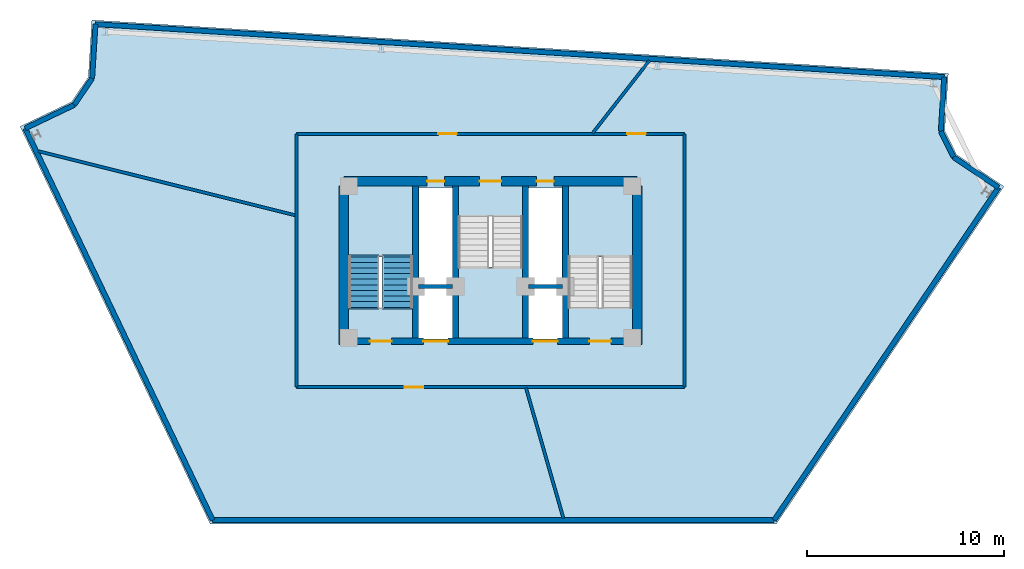
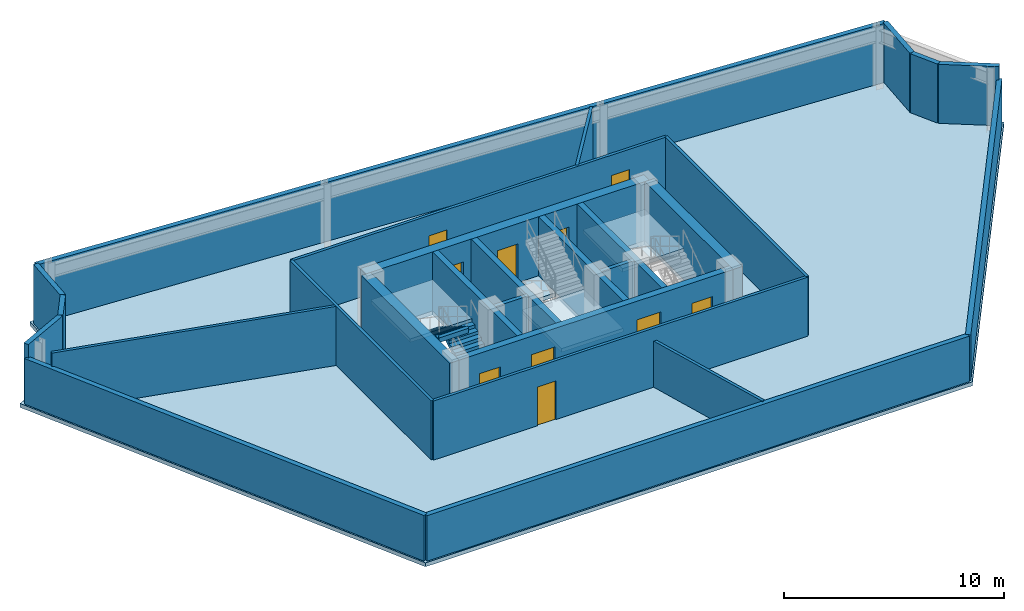
# One storey, part 3 of 5: 27 walls, 10 doors, 4 slabs, 2 stair flights, 10 openings, 3 elements without a shape of their own.
"""IFC4 building model written with IfcOpenShell, lengths in metres."""

from ifc_helpers import new_model, si_unit, direction, frame, frame_2d, origin, place, context, subcontext, project, spatial, polyline, rectangle, outline, extrude, material, layer, layer_set, type_object, element, fill, aggregate, save


model = new_model("IFC4")

# Units and contexts
model_context = context("Model", 3, precision=1e-05, world=origin(), true_north=direction((0.0, 1.0)))
body_context = subcontext(model_context, "Body", "Model", "MODEL_VIEW")
ifc_project = project(units=[si_unit("LENGTHUNIT", "METRE"), si_unit("AREAUNIT", "SQUARE_METRE"), si_unit("VOLUMEUNIT", "CUBIC_METRE"), si_unit("PLANEANGLEUNIT", "RADIAN"), si_unit("MASSUNIT", "GRAM", prefix="KILO")], contexts=[model_context])

# Site, building, storey
site_placement = place(None, origin())
site = spatial("IfcSite", under=ifc_project, at=site_placement, CompositionType="ELEMENT")
building_placement = place(site_placement, origin())
building = spatial("IfcBuilding", under=site, at=building_placement, Name="Apsidion Concourse Tower", CompositionType="ELEMENT")
storey_placement = place(building_placement, frame((0.0, 0.0, 343.0)))
storey = spatial("IfcBuildingStorey", under=building, at=storey_placement, Name="L81", CompositionType="ELEMENT", Elevation=343.0)

# Slab
ifc_material_1 = material(Name="Concrete C50/60", Category="concrete")
ifc_layer_1 = layer(ifc_material_1, 0.219970703125)
ifc_layer_set_1 = layer_set([ifc_layer_1], Name="Concrete C50/60")
slab_type_1 = type_object("IfcSlabType", Name="SL-FLR-220", PredefinedType="FLOOR", material=ifc_layer_set_1)
slab_1_placement = place(storey_placement, frame((0.0, 0.0, -0.219970703125)))
element("IfcSlab", 1, at=slab_1_placement, inside=storey, type_object=slab_type_1, Name="L81 Structural Floor Slab", PredefinedType="FLOOR", context=body_context, shape_type="SweptSolid", body=[
    extrude(outline(polyline([(-23.89111328125, 12.180908203125), (-21.27001953125, 13.43505859375), (-20.424560546875, 14.688232421875), (-20.24365234375, 17.58837890625), (23.251708984375, 14.875732421875), (23.07080078125, 11.9755859375), (23.668701171875, 10.76171875), (26.07763671875, 9.136962890625), (14.513916015625, -8.007080078125), (-14.232177734375, -8.007080078125), (-23.89111328125, 12.180908203125)]), holes=[polyline([(-3.949951171875, 3.0), (-3.949951171875, 9.14990234375), (-7.199951171875, 9.14990234375), (-7.199951171875, 3.0), (-3.949951171875, 3.0)]), polyline([(7.199951171875, 3.0), (7.199951171875, 9.14990234375), (3.949951171875, 9.14990234375), (3.949951171875, 3.0), (7.199951171875, 3.0)]), polyline([(-1.625, 7.60009765625), (-1.625, 1.449951171875), (1.625, 1.449951171875), (1.625, 7.60009765625), (-1.625, 7.60009765625)]), polyline([(-3.7099609375, 1.39990234375), (-1.85009765625, 1.39990234375), (-1.85009765625, 4.0), (-3.7099609375, 4.0), (-3.7099609375, 1.39990234375)]), polyline([(1.85009765625, 1.39990234375), (3.7099609375, 1.39990234375), (3.7099609375, 4.0), (1.85009765625, 4.0), (1.85009765625, 1.39990234375)]), polyline([(-3.6201171875, 4.14990234375), (-1.93994140625, 4.14990234375), (-1.93994140625, 9.050048828125), (-3.6201171875, 9.050048828125), (-3.6201171875, 4.14990234375)]), polyline([(1.93994140625, 4.14990234375), (3.6201171875, 4.14990234375), (3.6201171875, 9.050048828125), (1.93994140625, 9.050048828125), (1.93994140625, 4.14990234375)])]), origin(), (0.0, 0.0, 1.0), 0.219970703125),
])

# Stair, slab
ifc_material_2 = material(Name="Precast concrete C40/50", Category="concrete")
stair_type = type_object("IfcStairType", Name="ST-DL-1550", PredefinedType="HALF_TURN_STAIR", material=ifc_material_2)
stair_1_placement = place(storey_placement, origin())
stair_1 = element("IfcStair", 2, at=stair_1_placement, inside=storey, type_object=stair_type, Name="L81 Protected Core Exit Stair ST1", PredefinedType="HALF_TURN_STAIR")
ifc_layer_2 = layer(ifc_material_1, 0.199951171875)
ifc_layer_set_2 = layer_set([ifc_layer_2], Name="Concrete C50/60")
slab_type_2 = type_object("IfcSlabType", Name="SL-ST-LAND-200", PredefinedType="LANDING", material=ifc_layer_set_2)
slab_2_placement = place(storey_placement, frame((0.0, 0.0, 1.550048828125)))
slab_2 = element("IfcSlab", 3, at=slab_2_placement, type_object=slab_type_2, Name="ST1 landing 1", PredefinedType="LANDING", context=body_context, shape_type="SweptSolid", body=[
    extrude(outline(polyline([(-3.949951171875, 5.56494140625), (-3.949951171875, 9.14990234375), (-7.199951171875, 9.14990234375), (-7.199951171875, 5.56494140625), (-3.949951171875, 5.56494140625)])), origin(), (0.0, 0.0, 1.0), 0.199951171875),
])

stair_2_placement = place(storey_placement, origin())
stair_2 = element("IfcStair", 4, at=stair_2_placement, inside=storey, type_object=stair_type, Name="L81 Protected Core Exit Stair ST2", PredefinedType="HALF_TURN_STAIR")
slab_3_placement = place(storey_placement, frame((0.0, 0.0, 1.550048828125)))
slab_3 = element("IfcSlab", 5, at=slab_3_placement, type_object=slab_type_2, Name="ST2 landing 1", PredefinedType="LANDING", context=body_context, shape_type="SweptSolid", body=[
    extrude(outline(polyline([(7.199951171875, 5.56494140625), (7.199951171875, 9.14990234375), (3.949951171875, 9.14990234375), (3.949951171875, 5.56494140625), (7.199951171875, 5.56494140625)])), origin(), (0.0, 0.0, 1.0), 0.199951171875),
])
aggregate(stair_2, [slab_3])

stair_3_placement = place(storey_placement, origin())
stair_3 = element("IfcStair", 6, at=stair_3_placement, inside=storey, type_object=stair_type, Name="L81 Protected Core Exit Stair ST3", PredefinedType="HALF_TURN_STAIR")
slab_4_placement = place(storey_placement, frame((0.0, 0.0, 1.550048828125)))
slab_4 = element("IfcSlab", 7, at=slab_4_placement, type_object=slab_type_2, Name="ST3 landing 1", PredefinedType="LANDING", context=body_context, shape_type="SweptSolid", body=[
    extrude(outline(polyline([(-1.625, 5.034912109375), (-1.625, 1.449951171875), (1.625, 1.449951171875), (1.625, 5.034912109375), (-1.625, 5.034912109375)])), origin(), (0.0, 0.0, 1.0), 0.199951171875),
])
aggregate(stair_3, [slab_4])

# Walls
ifc_layer_3 = layer(ifc_material_2, 0.25)
ifc_layer_set_3 = layer_set([ifc_layer_3], Name="Precast concrete C40/50")
wall_type_1 = type_object("IfcWallType", Name="WL-EXT-250", PredefinedType="STANDARD", material=ifc_layer_set_3)
wall_1_placement = place(storey_placement, frame((-23.62451171875, 12.0869140625, 0.0), z_axis=(0.0, 0.0, 1.0), x_axis=(0.902092306117, 0.431543127909, 0.0)))
element("IfcWall", 8, at=wall_1_placement, inside=storey, type_object=wall_type_1, Name="L81 Precast Stone Facade Wall 01", PredefinedType="STANDARD", context=body_context, shape_type="SweptSolid", body=[
    extrude(rectangle(XDim=2.76025390625, YDim=0.25, at=frame_2d((1.380126953125, 0.0))), origin(), (0.0, 0.0, 1.0), 3.280029296875),
])
wall_2_placement = place(storey_placement, frame((-21.134521484375, 13.278076171875, 0.0), z_axis=(0.0, 0.0, 1.0), x_axis=(0.559107950815, 0.829094867512, 0.0)))
element("IfcWall", 9, at=wall_2_placement, inside=storey, type_object=wall_type_1, Name="L81 Precast Stone Facade Wall 02", PredefinedType="STANDARD", context=body_context, shape_type="SweptSolid", body=[
    extrude(rectangle(XDim=1.620361328125, YDim=0.25, at=frame_2d((0.81005859375, 0.0))), origin(), (0.0, 0.0, 1.0), 3.280029296875),
])
wall_3_placement = place(storey_placement, frame((-20.228515625, 14.62158203125, 0.0), z_axis=(0.0, 0.0, 1.0), x_axis=(0.062361765106, 0.998053610911, 0.0)))
element("IfcWall", 10, at=wall_3_placement, inside=storey, type_object=wall_type_1, Name="L81 Precast Stone Facade Wall 03", PredefinedType="STANDARD", context=body_context, shape_type="SweptSolid", body=[
    extrude(rectangle(XDim=2.760009765625, YDim=0.25, at=frame_2d((1.3798828125, 0.0))), origin(), (0.0, 0.0, 1.0), 3.280029296875),
])
wall_4_placement = place(storey_placement, frame((-20.056396484375, 17.376220703125, 0.0), z_axis=(0.0, 0.0, 1.0), x_axis=(0.998061236898, -0.06223959674, 0.0)))
element("IfcWall", 11, at=wall_4_placement, inside=storey, type_object=wall_type_1, Name="L81 Precast Stone Facade Wall 04", PredefinedType="STANDARD", context=body_context, shape_type="SweptSolid", body=[
    extrude(rectangle(XDim=43.179931640625, YDim=0.25, at=frame_2d((21.58984375, 0.0))), origin(), (0.0, 0.0, 1.0), 3.280029296875),
])
wall_5_placement = place(storey_placement, frame((23.039794921875, 14.688720703125, 0.0), z_axis=(0.0, 0.0, 1.0), x_axis=(-0.062295651102, -0.998057739739, 0.0)))
element("IfcWall", 12, at=wall_5_placement, inside=storey, type_object=wall_type_1, Name="L81 Precast Stone Facade Wall 05", PredefinedType="STANDARD", context=body_context, shape_type="SweptSolid", body=[
    extrude(rectangle(XDim=2.759033203125, YDim=0.25, at=frame_2d((1.37939453125, 0.0))), origin(), (0.0, 0.0, 1.0), 3.280029296875),
])
wall_6_placement = place(storey_placement, frame((22.867919921875, 11.93505859375, 0.0), z_axis=(0.0, 0.0, 1.0), x_axis=(0.441785524615, -0.897120699929, 0.0)))
element("IfcWall", 13, at=wall_6_placement, inside=storey, type_object=wall_type_1, Name="L81 Precast Stone Facade Wall 06", PredefinedType="STANDARD", context=body_context, shape_type="SweptSolid", body=[
    extrude(rectangle(XDim=1.45947265625, YDim=0.25, at=frame_2d((0.729736328125, 0.0))), origin(), (0.0, 0.0, 1.0), 3.280029296875),
])
wall_7_placement = place(storey_placement, frame((23.5126953125, 10.625732421875, 0.0), z_axis=(0.0, 0.0, 1.0), x_axis=(0.829056864924, -0.559164300294, 0.0)))
element("IfcWall", 14, at=wall_7_placement, inside=storey, type_object=wall_type_1, Name="L81 Precast Stone Facade Wall 07", PredefinedType="STANDARD", context=body_context, shape_type="SweptSolid", body=[
    extrude(rectangle(XDim=2.759033203125, YDim=0.25, at=frame_2d((1.37939453125, 0.0))), origin(), (0.0, 0.0, 1.0), 3.280029296875),
])
wall_8_placement = place(storey_placement, frame((25.800048828125, 9.0830078125, 0.0), z_axis=(0.0, 0.0, 1.0), x_axis=(-0.559194153631, -0.82903672931, 0.0)))
element("IfcWall", 15, at=wall_8_placement, inside=storey, type_object=wall_type_1, Name="L81 Precast Stone Facade Wall 08", PredefinedType="STANDARD", context=body_context, shape_type="SweptSolid", body=[
    extrude(rectangle(XDim=20.373291015625, YDim=0.25, at=frame_2d((10.1865234375, 0.0))), origin(), (0.0, 0.0, 1.0), 2.532470703125),
])
wall_9_placement = place(storey_placement, frame((14.407470703125, -7.80712890625, 0.0), z_axis=(0.0, 0.0, 1.0), x_axis=(-1.0, 0.0, 0.0)))
element("IfcWall", 16, at=wall_9_placement, inside=storey, type_object=wall_type_1, Name="L81 Precast Stone Facade Wall 09", PredefinedType="STANDARD", context=body_context, shape_type="SweptSolid", body=[
    extrude(rectangle(XDim=28.513671875, YDim=0.25, at=frame_2d((14.2568359375, 0.0))), origin(), (0.0, 0.0, 1.0), 2.532470703125),
])
wall_10_placement = place(storey_placement, frame((-14.106201171875, -7.80712890625, 0.0), z_axis=(0.0, 0.0, 1.0), x_axis=(-0.431594551135, 0.90206770446, 0.0)))
element("IfcWall", 17, at=wall_10_placement, inside=storey, type_object=wall_type_1, Name="L81 Precast Stone Facade Wall 10", PredefinedType="STANDARD", context=body_context, shape_type="SweptSolid", body=[
    extrude(rectangle(XDim=22.0537109375, YDim=0.25, at=frame_2d((11.02685546875, 0.0))), origin(), (0.0, 0.0, 1.0), 2.532470703125),
])

# Wall, openings, doors
ifc_material_3 = material(Name="Gypsum plasterboard partition")
ifc_layer_4 = layer(ifc_material_3, 0.14990234375)
ifc_layer_set_4 = layer_set([ifc_layer_4], Name="Gypsum plasterboard partition")
wall_type_2 = type_object("IfcWallType", Name="WL-INT-PAR-150", PredefinedType="PARTITIONING", material=ifc_layer_set_4)
wall_11_placement = place(storey_placement, frame((-9.85009765625, 11.800048828125, 0.0), z_axis=(0.0, 0.0, 1.0), x_axis=(1.0, 0.0, 0.0)))
wall_11 = element("IfcWall", 18, at=wall_11_placement, inside=storey, type_object=wall_type_2, Name="L81 Interior Partition WL-L81-CCR-1", PredefinedType="PARTITIONING", context=body_context, shape_type="SweptSolid", body=[
    extrude(rectangle(XDim=19.7001953125, YDim=0.14990234375, at=frame_2d((9.85009765625, 0.0))), origin(), (0.0, 0.0, 1.0), 3.280029296875),
])
opening_1_placement = place(wall_11_placement, frame((16.7900390625, 0.0, 0.0)))
opening_1 = element("IfcOpeningElement", 19, at=opening_1_placement, cuts=wall_11, Name="Opening D-04R", PredefinedType="OPENING", context=body_context, shape_type="SweptSolid", body=[
    extrude(rectangle(XDim=0.949951171875, YDim=2.14990234375, at=frame_2d((0.47509765625, 1.074951171875))), frame((0.0, 0.0849609375, 0.0), z_axis=(0.0, -1.0, 0.0), x_axis=(1.0, 0.0, 0.0)), (0.0, 0.0, 1.0), 0.169921875),
])
opening_2_placement = place(wall_11_placement, frame((7.2001953125, 0.0, 0.0)))
opening_2 = element("IfcOpeningElement", 20, at=opening_2_placement, cuts=wall_11, Name="Opening D-04L", PredefinedType="OPENING", context=body_context, shape_type="SweptSolid", body=[
    extrude(rectangle(XDim=0.949951171875, YDim=2.14990234375, at=frame_2d((0.47509765625, 1.074951171875))), frame((0.0, 0.0849609375, 0.0), z_axis=(0.0, -1.0, 0.0), x_axis=(1.0, 0.0, 0.0)), (0.0, 0.0, 1.0), 0.169921875),
])
ifc_material_4 = material(Name="Brushed stainless steel 316", Category="steel")
door_type_1 = type_object("IfcDoorType", Name="DR-INT-D04L", OperationType="SINGLE_SWING_LEFT", PredefinedType="DOOR", material=ifc_material_4)
door_1_placement = place(opening_2_placement, origin())
door_1 = element("IfcDoor", 21, at=door_1_placement, inside=storey, type_object=door_type_1, Name="L81 Crown Plant Door 3", OperationType="SINGLE_SWING_LEFT", OverallHeight=2.14990234375, OverallWidth=0.949951171875, PredefinedType="DOOR", context=body_context, shape_type="SweptSolid", body=[
    extrude(rectangle(XDim=0.949951171875, YDim=2.14990234375, at=frame_2d((0.47509765625, 1.074951171875))), frame((0.0, 0.02490234375, 0.0), z_axis=(0.0, -1.0, 0.0), x_axis=(1.0, 0.0, 0.0)), (0.0, 0.0, 1.0), 0.050048828125),
])
fill(opening_2, door_1)
door_type_2 = type_object("IfcDoorType", Name="DR-INT-D04R", OperationType="SINGLE_SWING_RIGHT", PredefinedType="DOOR", material=ifc_material_4)
door_2_placement = place(opening_1_placement, origin())
door_2 = element("IfcDoor", 22, at=door_2_placement, inside=storey, type_object=door_type_2, Name="L81 Crown Plant Door 2", OperationType="SINGLE_SWING_RIGHT", OverallHeight=2.14990234375, OverallWidth=0.949951171875, PredefinedType="DOOR", context=body_context, shape_type="SweptSolid", body=[
    extrude(rectangle(XDim=0.949951171875, YDim=2.14990234375, at=frame_2d((0.47509765625, 1.074951171875))), frame((0.0, 0.02490234375, 0.0), z_axis=(0.0, -1.0, 0.0), x_axis=(1.0, 0.0, 0.0)), (0.0, 0.0, 1.0), 0.050048828125),
])
fill(opening_1, door_2)

# Wall
wall_12_placement = place(storey_placement, frame((9.85009765625, 11.800048828125, 0.0), z_axis=(0.0, 0.0, 1.0), x_axis=(0.0, -1.0, 0.0)))
element("IfcWall", 23, at=wall_12_placement, inside=storey, type_object=wall_type_2, Name="L81 Interior Partition WL-L81-CCR-2", PredefinedType="PARTITIONING", context=body_context, shape_type="SweptSolid", body=[
    extrude(rectangle(XDim=12.85498046875, YDim=0.14990234375, at=frame_2d((6.427490234375, 0.0))), origin(), (0.0, 0.0, 1.0), 3.280029296875),
])

# Wall, opening, door
wall_13_placement = place(storey_placement, frame((9.85009765625, -1.054931640625, 0.0), z_axis=(0.0, 0.0, 1.0), x_axis=(-1.0, 0.0, 0.0)))
wall_13 = element("IfcWall", 24, at=wall_13_placement, inside=storey, type_object=wall_type_2, Name="L81 Interior Partition WL-L81-CCR-3", PredefinedType="PARTITIONING", context=body_context, shape_type="SweptSolid", body=[
    extrude(rectangle(XDim=19.7001953125, YDim=0.14990234375, at=frame_2d((9.85009765625, 0.0))), origin(), (0.0, 0.0, 1.0), 3.280029296875),
])
opening_3_placement = place(wall_13_placement, frame((13.26171875, 0.0, 0.0)))
opening_3 = element("IfcOpeningElement", 25, at=opening_3_placement, cuts=wall_13, Name="Opening D-04L", PredefinedType="OPENING", context=body_context, shape_type="SweptSolid", body=[
    extrude(rectangle(XDim=0.949951171875, YDim=2.14990234375, at=frame_2d((0.47509765625, 1.074951171875))), frame((0.0, 0.0849609375, 0.0), z_axis=(0.0, -1.0, 0.0), x_axis=(1.0, 0.0, 0.0)), (0.0, 0.0, 1.0), 0.169921875),
])
door_3_placement = place(opening_3_placement, origin())
door_3 = element("IfcDoor", 26, at=door_3_placement, inside=storey, type_object=door_type_1, Name="L81 Crown Plant Door 1", OperationType="SINGLE_SWING_LEFT", OverallHeight=2.14990234375, OverallWidth=0.949951171875, PredefinedType="DOOR", context=body_context, shape_type="SweptSolid", body=[
    extrude(rectangle(XDim=0.949951171875, YDim=2.14990234375, at=frame_2d((0.47509765625, 1.074951171875))), frame((0.0, 0.02490234375, 0.0), z_axis=(0.0, -1.0, 0.0), x_axis=(1.0, 0.0, 0.0)), (0.0, 0.0, 1.0), 0.050048828125),
])
fill(opening_3, door_3)

# Walls
wall_14_placement = place(storey_placement, frame((-9.85009765625, -1.054931640625, 0.0), z_axis=(0.0, 0.0, 1.0), x_axis=(0.0, 1.0, 0.0)))
element("IfcWall", 27, at=wall_14_placement, inside=storey, type_object=wall_type_2, Name="L81 Interior Partition WL-L81-CCR-4", PredefinedType="PARTITIONING", context=body_context, shape_type="SweptSolid", body=[
    extrude(rectangle(XDim=12.85498046875, YDim=0.14990234375, at=frame_2d((6.427490234375, 0.0))), origin(), (0.0, 0.0, 1.0), 3.280029296875),
])
wall_15_placement = place(storey_placement, frame((5.179931640625, 11.830078125, 0.0), z_axis=(0.0, 0.0, 1.0), x_axis=(0.615673287735, 0.788001524599, 0.0)))
element("IfcWall", 28, at=wall_15_placement, inside=storey, type_object=wall_type_2, Name="L81 Interior Partition WL-L81-CRD-1-1", PredefinedType="PARTITIONING", context=body_context, shape_type="SweptSolid", body=[
    extrude(rectangle(XDim=4.69775390625, YDim=0.14990234375, at=frame_2d((2.348876953125, 0.0))), origin(), (0.0, 0.0, 1.0), 3.280029296875),
])
wall_16_placement = place(storey_placement, frame((-9.8798828125, 7.663330078125, 0.0), z_axis=(0.0, 0.0, 1.0), x_axis=(-0.970295599686, 0.241922403324, 0.0)))
element("IfcWall", 29, at=wall_16_placement, inside=storey, type_object=wall_type_2, Name="L81 Interior Partition WL-L81-CRD-2-1", PredefinedType="PARTITIONING", context=body_context, shape_type="SweptSolid", body=[
    extrude(rectangle(XDim=13.490478515625, YDim=0.14990234375, at=frame_2d((6.7451171875, 0.0))), origin(), (0.0, 0.0, 1.0), 3.280029296875),
])
wall_17_placement = place(storey_placement, frame((1.80224609375, -1.0849609375, 0.0), z_axis=(0.0, 0.0, 1.0), x_axis=(0.275623020984, -0.96126580627, 0.0)))
element("IfcWall", 30, at=wall_17_placement, inside=storey, type_object=wall_type_2, Name="L81 Interior Partition WL-L81-CRD-3-1", PredefinedType="PARTITIONING", context=body_context, shape_type="SweptSolid", body=[
    extrude(rectangle(XDim=6.8994140625, YDim=0.14990234375, at=frame_2d((3.44970703125, 0.0))), origin(), (0.0, 0.0, 1.0), 2.56298828125),
])
ifc_layer_5 = layer(ifc_material_3, 0.199951171875)
ifc_layer_set_5 = layer_set([ifc_layer_5], Name="Gypsum plasterboard partition")
wall_type_3 = type_object("IfcWallType", Name="WL-INT-PAR-200", PredefinedType="PARTITIONING", material=ifc_layer_set_5)
for number, where, z_axis, x_axis, name in (
    (31, (-3.64990234375, 4.050048828125, 0.0), (0.0, 0.0, 1.0), (1.0, 0.0, 0.0), "L81 Interior Partition WL-L81-FF1-N"),
    (32, (1.919921875, 4.050048828125, 0.0), (0.0, 0.0, 1.0), (1.0, 0.0, 0.0), "L81 Interior Partition WL-L81-FF2-N"),
):
    element("IfcWall", number, at=place(storey_placement, frame(where, z_axis=z_axis, x_axis=x_axis)), inside=storey, type_object=wall_type_3, Name=name, PredefinedType="PARTITIONING", context=body_context, shape_type="SweptSolid", body=[
        extrude(rectangle(XDim=1.72998046875, YDim=0.199951171875, at=frame_2d((0.864990234375, 0.0))), origin(), (0.0, 0.0, 1.0), 3.280029296875),
    ])
ifc_layer_6 = layer(ifc_material_1, 0.300048828125)
ifc_layer_set_6 = layer_set([ifc_layer_6], Name="Concrete C50/60")
wall_type_4 = type_object("IfcWallType", Name="WL-SH-300", PredefinedType="SHEAR", material=ifc_layer_set_6)
for number, where, z_axis, x_axis, name in (
    (33, (-3.800048828125, 1.449951171875, 0.0), (0.0, 0.0, 1.0), (0.0, 1.0, 0.0), "L81 Central Core Shear Wall V1"),
    (34, (-1.77490234375, 1.449951171875, 0.0), (0.0, 0.0, 1.0), (0.0, 1.0, 0.0), "L81 Central Core Shear Wall V2"),
    (35, (1.77490234375, 1.449951171875, 0.0), (0.0, 0.0, 1.0), (0.0, 1.0, 0.0), "L81 Central Core Shear Wall V3"),
    (36, (3.800048828125, 1.449951171875, 0.0), (0.0, 0.0, 1.0), (0.0, 1.0, 0.0), "L81 Central Core Shear Wall V4"),
):
    element("IfcWall", number, at=place(storey_placement, frame(where, z_axis=z_axis, x_axis=x_axis)), inside=storey, type_object=wall_type_4, Name=name, PredefinedType="SHEAR", context=body_context, shape_type="SweptSolid", body=[
        extrude(rectangle(XDim=7.699951171875, YDim=0.300048828125, at=frame_2d((3.85009765625, 0.0))), origin(), (0.0, 0.0, 1.0), 3.280029296875),
    ])

# Wall, openings, doors
ifc_layer_7 = layer(ifc_material_1, 0.35009765625)
ifc_layer_set_7 = layer_set([ifc_layer_7], Name="Concrete C50/60")
wall_type_5 = type_object("IfcWallType", Name="WL-SH-350", PredefinedType="SHEAR", material=ifc_layer_set_7)
wall_18_placement = place(storey_placement, frame((-7.199951171875, 1.27490234375, 0.0), z_axis=(0.0, 0.0, 1.0), x_axis=(1.0, 0.0, 0.0)))
wall_18 = element("IfcWall", 37, at=wall_18_placement, inside=storey, type_object=wall_type_5, Name="L81 Central Core Shear Wall M1", PredefinedType="SHEAR", context=body_context, shape_type="SweptSolid", body=[
    extrude(rectangle(XDim=14.39990234375, YDim=0.35009765625, at=frame_2d((7.199951171875, 0.0))), origin(), (0.0, 0.0, 1.0), 3.280029296875),
])
opening_4_placement = place(wall_18_placement, frame((3.794921875, 0.0, 0.0)))
opening_4 = element("IfcOpeningElement", 38, at=opening_4_placement, cuts=wall_18, Name="Opening LD-FF", PredefinedType="OPENING", context=body_context, shape_type="SweptSolid", body=[
    extrude(rectangle(XDim=1.25, YDim=2.25, at=frame_2d((0.625, 1.125))), frame((0.0, 0.18505859375, 0.0), z_axis=(0.0, -1.0, 0.0), x_axis=(1.0, 0.0, 0.0)), (0.0, 0.0, 1.0), 0.3701171875),
])
opening_5_placement = place(wall_18_placement, frame((9.35498046875, 0.0, 0.0)))
opening_5 = element("IfcOpeningElement", 39, at=opening_5_placement, cuts=wall_18, Name="Opening LD-FF", PredefinedType="OPENING", context=body_context, shape_type="SweptSolid", body=[
    extrude(rectangle(XDim=1.25, YDim=2.25, at=frame_2d((0.625, 1.125))), frame((0.0, 0.18505859375, 0.0), z_axis=(0.0, -1.0, 0.0), x_axis=(1.0, 0.0, 0.0)), (0.0, 0.0, 1.0), 0.3701171875),
])
opening_6_placement = place(wall_18_placement, frame((1.074951171875, 0.0, 0.0)))
opening_6 = element("IfcOpeningElement", 40, at=opening_6_placement, cuts=wall_18, Name="Opening D-STL", PredefinedType="OPENING", context=body_context, shape_type="SweptSolid", body=[
    extrude(rectangle(XDim=1.10009765625, YDim=2.14990234375, at=frame_2d((0.550048828125, 1.074951171875))), frame((0.0, 0.18505859375, 0.0), z_axis=(0.0, -1.0, 0.0), x_axis=(1.0, 0.0, 0.0)), (0.0, 0.0, 1.0), 0.3701171875),
])
opening_7_placement = place(wall_18_placement, frame((12.22509765625, 0.0, 0.0)))
opening_7 = element("IfcOpeningElement", 41, at=opening_7_placement, cuts=wall_18, Name="Opening D-STR", PredefinedType="OPENING", context=body_context, shape_type="SweptSolid", body=[
    extrude(rectangle(XDim=1.10009765625, YDim=2.14990234375, at=frame_2d((0.550048828125, 1.074951171875))), frame((0.0, 0.18505859375, 0.0), z_axis=(0.0, -1.0, 0.0), x_axis=(1.0, 0.0, 0.0)), (0.0, 0.0, 1.0), 0.3701171875),
])
door_type_3 = type_object("IfcDoorType", Name="DR-INT-ST1L", OperationType="SINGLE_SWING_LEFT", PredefinedType="DOOR", material=ifc_material_4)
door_4_placement = place(opening_6_placement, origin())
door_4 = element("IfcDoor", 42, at=door_4_placement, inside=storey, type_object=door_type_3, Name="L81 Core Exit Stair ST1 Door", OperationType="SINGLE_SWING_LEFT", OverallHeight=2.14990234375, OverallWidth=1.10009765625, PredefinedType="DOOR", context=body_context, shape_type="SweptSolid", body=[
    extrude(rectangle(XDim=1.10009765625, YDim=2.14990234375, at=frame_2d((0.550048828125, 1.074951171875))), frame((0.0, 0.02490234375, 0.0), z_axis=(0.0, -1.0, 0.0), x_axis=(1.0, 0.0, 0.0)), (0.0, 0.0, 1.0), 0.050048828125),
])
fill(opening_6, door_4)
door_type_4 = type_object("IfcDoorType", Name="DR-INT-ST1R", OperationType="SINGLE_SWING_RIGHT", PredefinedType="DOOR", material=ifc_material_4)
door_5_placement = place(opening_7_placement, origin())
door_5 = element("IfcDoor", 43, at=door_5_placement, inside=storey, type_object=door_type_4, Name="L81 Core Exit Stair ST2 Door", OperationType="SINGLE_SWING_RIGHT", OverallHeight=2.14990234375, OverallWidth=1.10009765625, PredefinedType="DOOR", context=body_context, shape_type="SweptSolid", body=[
    extrude(rectangle(XDim=1.10009765625, YDim=2.14990234375, at=frame_2d((0.550048828125, 1.074951171875))), frame((0.0, 0.02490234375, 0.0), z_axis=(0.0, -1.0, 0.0), x_axis=(1.0, 0.0, 0.0)), (0.0, 0.0, 1.0), 0.050048828125),
])
fill(opening_7, door_5)
door_type_5 = type_object("IfcDoorType", Name="DR-LD-FSAE", OperationType="DOUBLE_DOOR_SLIDING", PredefinedType="DOOR", material=ifc_material_4)
door_6_placement = place(opening_4_placement, origin())
door_6 = element("IfcDoor", 44, at=door_6_placement, inside=storey, type_object=door_type_5, Name="L81 Lift Landing Door FF1", OperationType="DOUBLE_DOOR_SLIDING", OverallHeight=2.25, OverallWidth=1.25, PredefinedType="DOOR", context=body_context, shape_type="SweptSolid", body=[
    extrude(rectangle(XDim=1.25, YDim=2.25, at=frame_2d((0.625, 1.125))), frame((0.0, 0.02490234375, 0.0), z_axis=(0.0, -1.0, 0.0), x_axis=(1.0, 0.0, 0.0)), (0.0, 0.0, 1.0), 0.050048828125),
])
fill(opening_4, door_6)
door_7_placement = place(opening_5_placement, origin())
door_7 = element("IfcDoor", 45, at=door_7_placement, inside=storey, type_object=door_type_5, Name="L81 Lift Landing Door FF2", OperationType="DOUBLE_DOOR_SLIDING", OverallHeight=2.25, OverallWidth=1.25, PredefinedType="DOOR", context=body_context, shape_type="SweptSolid", body=[
    extrude(rectangle(XDim=1.25, YDim=2.25, at=frame_2d((0.625, 1.125))), frame((0.0, 0.02490234375, 0.0), z_axis=(0.0, -1.0, 0.0), x_axis=(1.0, 0.0, 0.0)), (0.0, 0.0, 1.0), 0.050048828125),
])
fill(opening_5, door_7)

ifc_layer_8 = layer(ifc_material_1, 0.5)
ifc_layer_set_8 = layer_set([ifc_layer_8], Name="Concrete C50/60")
wall_type_6 = type_object("IfcWallType", Name="WL-SH-500", PredefinedType="SHEAR", material=ifc_layer_set_8)
wall_19_placement = place(storey_placement, frame((-7.449951171875, 9.39990234375, 0.0), z_axis=(0.0, 0.0, 1.0), x_axis=(1.0, 0.0, 0.0)))
wall_19 = element("IfcWall", 46, at=wall_19_placement, inside=storey, type_object=wall_type_6, Name="L81 Central Core Shear Wall N", PredefinedType="SHEAR", context=body_context, shape_type="SweptSolid", body=[
    extrude(rectangle(XDim=14.89990234375, YDim=0.5, at=frame_2d((7.449951171875, 0.0))), origin(), (0.0, 0.0, 1.0), 3.280029296875),
])
opening_8_placement = place(wall_19_placement, frame((6.89990234375, 0.0, 0.0)))
opening_8 = element("IfcOpeningElement", 47, at=opening_8_placement, cuts=wall_19, Name="Opening D-STL", PredefinedType="OPENING", context=body_context, shape_type="SweptSolid", body=[
    extrude(rectangle(XDim=1.10009765625, YDim=2.14990234375, at=frame_2d((0.550048828125, 1.074951171875))), frame((0.0, 0.260009765625, 0.0), z_axis=(0.0, -1.0, 0.0), x_axis=(1.0, 0.0, 0.0)), (0.0, 0.0, 1.0), 0.52001953125),
])
opening_9_placement = place(wall_19_placement, frame((4.22998046875, 0.0, 0.0)))
opening_9 = element("IfcOpeningElement", 48, at=opening_9_placement, cuts=wall_19, Name="Opening D-05L", PredefinedType="OPENING", context=body_context, shape_type="SweptSolid", body=[
    extrude(rectangle(XDim=0.8798828125, YDim=2.14990234375, at=frame_2d((0.43994140625, 1.074951171875))), frame((0.0, 0.260009765625, 0.0), z_axis=(0.0, -1.0, 0.0), x_axis=(1.0, 0.0, 0.0)), (0.0, 0.0, 1.0), 0.52001953125),
])
opening_10_placement = place(wall_19_placement, frame((9.7900390625, 0.0, 0.0)))
opening_10 = element("IfcOpeningElement", 49, at=opening_10_placement, cuts=wall_19, Name="Opening D-05R", PredefinedType="OPENING", context=body_context, shape_type="SweptSolid", body=[
    extrude(rectangle(XDim=0.8798828125, YDim=2.14990234375, at=frame_2d((0.43994140625, 1.074951171875))), frame((0.0, 0.260009765625, 0.0), z_axis=(0.0, -1.0, 0.0), x_axis=(1.0, 0.0, 0.0)), (0.0, 0.0, 1.0), 0.52001953125),
])
door_type_6 = type_object("IfcDoorType", Name="DR-INT-D05L", OperationType="SINGLE_SWING_LEFT", PredefinedType="DOOR", material=ifc_material_4)
door_8_placement = place(opening_9_placement, origin())
door_8 = element("IfcDoor", 50, at=door_8_placement, inside=storey, type_object=door_type_6, Name="L81 Electrical Riser Shaft Access Door", OperationType="SINGLE_SWING_LEFT", OverallHeight=2.14990234375, OverallWidth=0.8798828125, PredefinedType="DOOR", context=body_context, shape_type="SweptSolid", body=[
    extrude(rectangle(XDim=0.8798828125, YDim=2.14990234375, at=frame_2d((0.43994140625, 1.074951171875))), frame((0.0, 0.02490234375, 0.0), z_axis=(0.0, -1.0, 0.0), x_axis=(1.0, 0.0, 0.0)), (0.0, 0.0, 1.0), 0.050048828125),
])
fill(opening_9, door_8)
door_type_7 = type_object("IfcDoorType", Name="DR-INT-D05R", OperationType="SINGLE_SWING_RIGHT", PredefinedType="DOOR", material=ifc_material_4)
door_9_placement = place(opening_10_placement, origin())
door_9 = element("IfcDoor", 51, at=door_9_placement, inside=storey, type_object=door_type_7, Name="L81 Mechanical Riser Shaft Access Door", OperationType="SINGLE_SWING_RIGHT", OverallHeight=2.14990234375, OverallWidth=0.8798828125, PredefinedType="DOOR", context=body_context, shape_type="SweptSolid", body=[
    extrude(rectangle(XDim=0.8798828125, YDim=2.14990234375, at=frame_2d((0.43994140625, 1.074951171875))), frame((0.0, 0.02490234375, 0.0), z_axis=(0.0, -1.0, 0.0), x_axis=(1.0, 0.0, 0.0)), (0.0, 0.0, 1.0), 0.050048828125),
])
fill(opening_10, door_9)
door_10_placement = place(opening_8_placement, origin())
door_10 = element("IfcDoor", 52, at=door_10_placement, inside=storey, type_object=door_type_3, Name="L81 Core Exit Stair ST3 Door", OperationType="SINGLE_SWING_LEFT", OverallHeight=2.14990234375, OverallWidth=1.10009765625, PredefinedType="DOOR", context=body_context, shape_type="SweptSolid", body=[
    extrude(rectangle(XDim=1.10009765625, YDim=2.14990234375, at=frame_2d((0.550048828125, 1.074951171875))), frame((0.0, 0.02490234375, 0.0), z_axis=(0.0, -1.0, 0.0), x_axis=(1.0, 0.0, 0.0)), (0.0, 0.0, 1.0), 0.050048828125),
])
fill(opening_8, door_10)

# Walls
for number, where, z_axis, x_axis, name in (
    (53, (-7.449951171875, 1.10009765625, 0.0), (0.0, 0.0, 1.0), (0.0, 1.0, 0.0), "L81 Central Core Shear Wall WN"),
    (54, (7.449951171875, 1.10009765625, 0.0), (0.0, 0.0, 1.0), (0.0, 1.0, 0.0), "L81 Central Core Shear Wall EN"),
):
    element("IfcWall", number, at=place(storey_placement, frame(where, z_axis=z_axis, x_axis=x_axis)), inside=storey, type_object=wall_type_6, Name=name, PredefinedType="SHEAR", context=body_context, shape_type="SweptSolid", body=[
        extrude(rectangle(XDim=8.0498046875, YDim=0.5, at=frame_2d((4.02490234375, 0.0))), origin(), (0.0, 0.0, 1.0), 3.280029296875),
    ])

# Stair flight
stair_flight_type = type_object("IfcStairFlightType", Name="SFL-RC-1550", PredefinedType="STRAIGHT", material=ifc_material_2)
stair_flight_1_placement = place(storey_placement, frame((-4.72509765625, 3.0, 0.0), z_axis=(0.0, 0.0, 1.0), x_axis=(0.0, 1.0, 0.0)))
stair_flight_1 = element("IfcStairFlight", 55, at=stair_flight_1_placement, type_object=stair_flight_type, Name="ST1 flight 1", NumberOfRisers=10, NumberOfTreads=9, PredefinedType="STRAIGHT", RiserHeight=0.175, TreadLength=0.285, context=body_context, shape_type="SweptSolid", body=[
    extrude(outline(polyline([(-0.080078125, -0.1123046875), (-0.080078125, 0.0), (0.0, 0.0), (0.0, 0.175048828125), (0.284912109375, 0.175048828125), (0.284912109375, 0.35009765625), (0.570068359375, 0.35009765625), (0.570068359375, 0.52490234375), (0.85498046875, 0.52490234375), (0.85498046875, 0.699951171875), (1.139892578125, 0.699951171875), (1.139892578125, 0.875), (1.425048828125, 0.875), (1.425048828125, 1.050048828125), (1.7099609375, 1.050048828125), (1.7099609375, 1.22509765625), (1.9951171875, 1.22509765625), (1.9951171875, 1.39990234375), (2.280029296875, 1.39990234375), (2.280029296875, 1.574951171875), (2.56494140625, 1.574951171875), (2.56494140625, 1.75), (2.64501953125, 1.66259765625), (2.64501953125, 1.399169921875), (2.56494140625, 1.399169921875), (0.286376953125, 0.0), (0.286376953125, -0.1123046875), (-0.080078125, -0.1123046875)])), frame((0.0, 0.77490234375, 0.0), z_axis=(0.0, -1.0, 0.0), x_axis=(1.0, 0.0, 0.0)), (0.0, 0.0, 1.0), 1.550048828125),
])

stair_flight_2_placement = place(storey_placement, frame((-6.425048828125, 5.56494140625, 1.75), z_axis=(0.0, 0.0, 1.0), x_axis=(0.0, -1.0, 0.0)))
stair_flight_2 = element("IfcStairFlight", 56, at=stair_flight_2_placement, type_object=stair_flight_type, Name="ST1 flight 2", NumberOfRisers=10, NumberOfTreads=9, PredefinedType="STRAIGHT", RiserHeight=0.175, TreadLength=0.285, context=body_context, shape_type="SweptSolid", body=[
    extrude(outline(polyline([(-0.080078125, -0.1123046875), (-0.080078125, 0.0), (0.0, 0.0), (0.0, 0.175048828125), (0.284912109375, 0.175048828125), (0.284912109375, 0.35009765625), (0.570068359375, 0.35009765625), (0.570068359375, 0.52490234375), (0.85498046875, 0.52490234375), (0.85498046875, 0.699951171875), (1.139892578125, 0.699951171875), (1.139892578125, 0.875), (1.425048828125, 0.875), (1.425048828125, 1.050048828125), (1.7099609375, 1.050048828125), (1.7099609375, 1.22509765625), (1.9951171875, 1.22509765625), (1.9951171875, 1.39990234375), (2.280029296875, 1.39990234375), (2.280029296875, 1.574951171875), (2.56494140625, 1.574951171875), (2.56494140625, 1.75), (2.64501953125, 1.66259765625), (2.64501953125, 1.399169921875), (2.56494140625, 1.399169921875), (0.286376953125, 0.0), (0.286376953125, -0.1123046875), (-0.080078125, -0.1123046875)])), frame((0.0, 0.77490234375, 0.0), z_axis=(0.0, -1.0, 0.0), x_axis=(1.0, 0.0, 0.0)), (0.0, 0.0, 1.0), 1.550048828125),
])

aggregate(stair_1, [stair_flight_1, stair_flight_2, slab_2])

save(model, "model.ifc")
